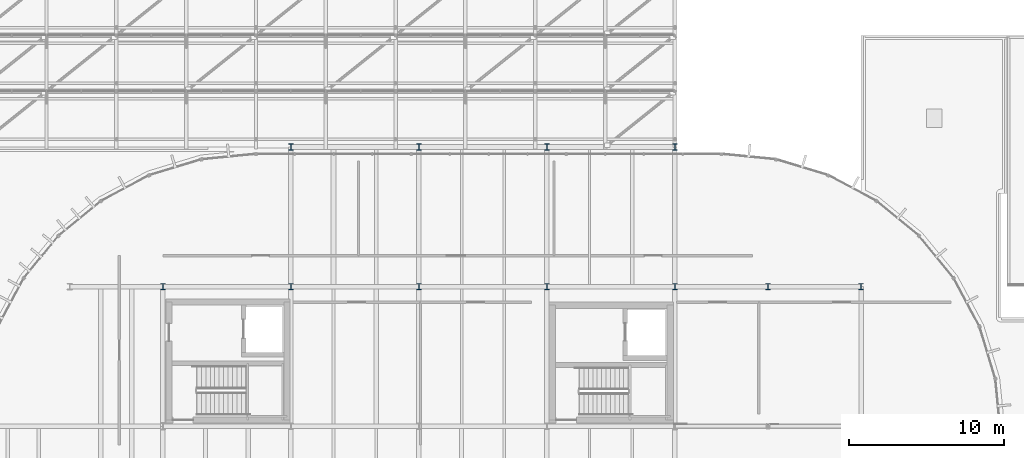
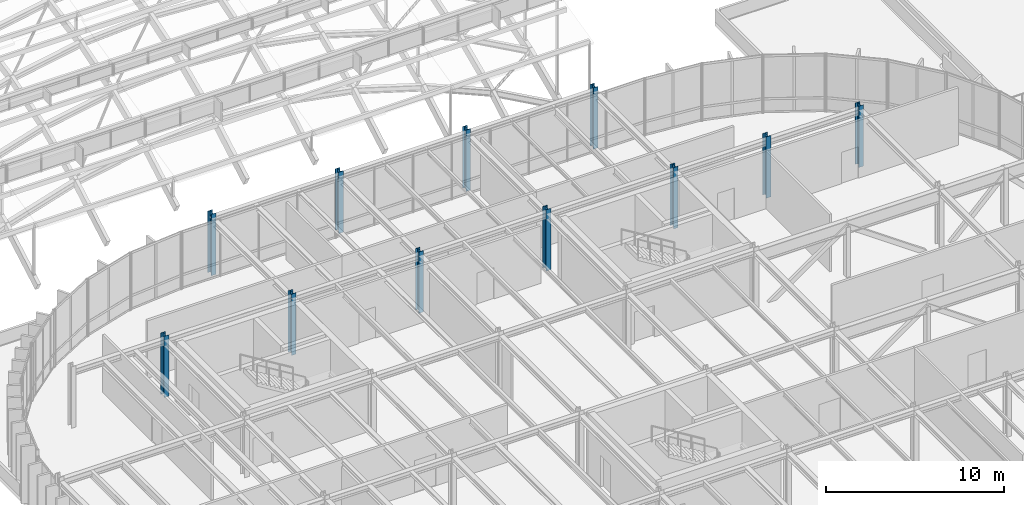
# One storey, part 5 of 69: 11 columns.
"""IFC4 building model written with IfcOpenShell, lengths in metres."""

from ifc_helpers import new_model, si_unit, direction, frame, origin, origin_2d, place, context, subcontext, project, spatial, i_section, extrude, material, material_profile, profile_set, type_object, element, save


model = new_model("IFC4")

# Units and contexts
model_context = context("Model", 3, precision=1e-05, world=origin(), true_north=direction((0.0, 1.0)))
body_context = subcontext(model_context, "Body", "Model", "MODEL_VIEW")
ifc_project = project(units=[si_unit("LENGTHUNIT", "METRE"), si_unit("AREAUNIT", "SQUARE_METRE"), si_unit("VOLUMEUNIT", "CUBIC_METRE"), si_unit("PLANEANGLEUNIT", "RADIAN"), si_unit("MASSUNIT", "GRAM", prefix="KILO")], contexts=[model_context])

# Site, building, storey
site_placement = place(None, origin())
site = spatial("IfcSite", under=ifc_project, at=site_placement, CompositionType="ELEMENT")
building_placement = place(site_placement, origin())
building = spatial("IfcBuilding", under=site, at=building_placement, Name="Montealbar Specialist Clinic", CompositionType="ELEMENT")
storey_placement = place(building_placement, frame((0.0, 0.0, 9.60009765625)))
storey = spatial("IfcBuildingStorey", under=building, at=storey_placement, Name="L02", CompositionType="ELEMENT", Elevation=9.60009765625)

# Columns
ifc_material = material(Name="Steel S355", Category="steel")
ifc_material_profile_1 = material_profile(ifc_material, i_section(OverallWidth=0.300048828125, OverallDepth=0.39990234375, WebThickness=0.013427734375, FlangeThickness=0.02392578125, FilletRadius=0.027099609375, at=origin_2d()), Name="HEB 400", Category="steel")
ifc_profile_set_1 = profile_set([ifc_material_profile_1], Name="Steel S355")
column_type_1 = type_object("IfcColumnType", Name="COL-S-L02-STD", PredefinedType="COLUMN", material=ifc_profile_set_1)
for number, where, z_axis, x_axis, name in (
    (1, (66.0, 36.0, 0.0), (0.0, 0.0, 1.0), (1.0, 0.0, 0.0), "Column 9/E L02"),
    (2, (74.25, 36.0, 0.0), (0.0, 0.0, 1.0), (1.0, 0.0, 0.0), "Column 10/E L02"),
    (3, (82.5, 36.0, 0.0), (0.0, 0.0, 1.0), (1.0, 0.0, 0.0), "Column 11/E L02"),
    (4, (90.75, 36.0, 0.0), (0.0, 0.0, 1.0), (1.0, 0.0, 0.0), "Column 12/E L02"),
    (5, (99.0, 36.0, 0.0), (0.0, 0.0, 1.0), (1.0, 0.0, 0.0), "Column 13/E L02"),
    (6, (105.0, 36.0, 0.0), (0.0, 0.0, 1.0), (1.0, 0.0, 0.0), "Column 14/E L02"),
    (7, (111.0, 36.0, 0.0), (0.0, 0.0, 1.0), (1.0, 0.0, 0.0), "Column 15/E L02"),
):
    element("IfcColumn", number, at=place(storey_placement, frame(where, z_axis=z_axis, x_axis=x_axis)), inside=storey, type_object=column_type_1, Name=name, PredefinedType="COLUMN", context=body_context, shape_type="SweptSolid", body=[
        extrude(i_section(OverallWidth=0.300048828125, OverallDepth=0.39990234375, WebThickness=0.013427734375, FlangeThickness=0.02392578125, FilletRadius=0.027099609375, at=origin_2d()), origin(), (0.0, 0.0, 1.0), 4.199951171875),
    ])
ifc_material_profile_2 = material_profile(ifc_material, i_section(OverallWidth=0.300048828125, OverallDepth=0.39990234375, WebThickness=0.013427734375, FlangeThickness=0.02392578125, FilletRadius=0.027099609375, at=origin_2d()), Name="HEB 400", Category="steel")
ifc_profile_set_2 = profile_set([ifc_material_profile_2], Name="Steel S355")
column_type_2 = type_object("IfcColumnType", Name="COL-S-L02-STD-EXT", PredefinedType="COLUMN", material=ifc_profile_set_2)
for number, where, z_axis, x_axis, name in (
    (8, (74.25, 45.0, 0.0), (0.0, 0.0, 1.0), (1.0, 0.0, 0.0), "Column 10/F L02"),
    (9, (82.5, 45.0, 0.0), (0.0, 0.0, 1.0), (1.0, 0.0, 0.0), "Column 11/F L02"),
    (10, (90.75, 45.0, 0.0), (0.0, 0.0, 1.0), (1.0, 0.0, 0.0), "Column 12/F L02"),
    (11, (99.0, 45.0, 0.0), (0.0, 0.0, 1.0), (1.0, 0.0, 0.0), "Column 13/F L02"),
):
    element("IfcColumn", number, at=place(storey_placement, frame(where, z_axis=z_axis, x_axis=x_axis)), inside=storey, type_object=column_type_2, Name=name, PredefinedType="COLUMN", context=body_context, shape_type="SweptSolid", body=[
        extrude(i_section(OverallWidth=0.300048828125, OverallDepth=0.39990234375, WebThickness=0.013427734375, FlangeThickness=0.02392578125, FilletRadius=0.027099609375, at=origin_2d()), origin(), (0.0, 0.0, 1.0), 4.199951171875),
    ])

save(model, "model.ifc")
